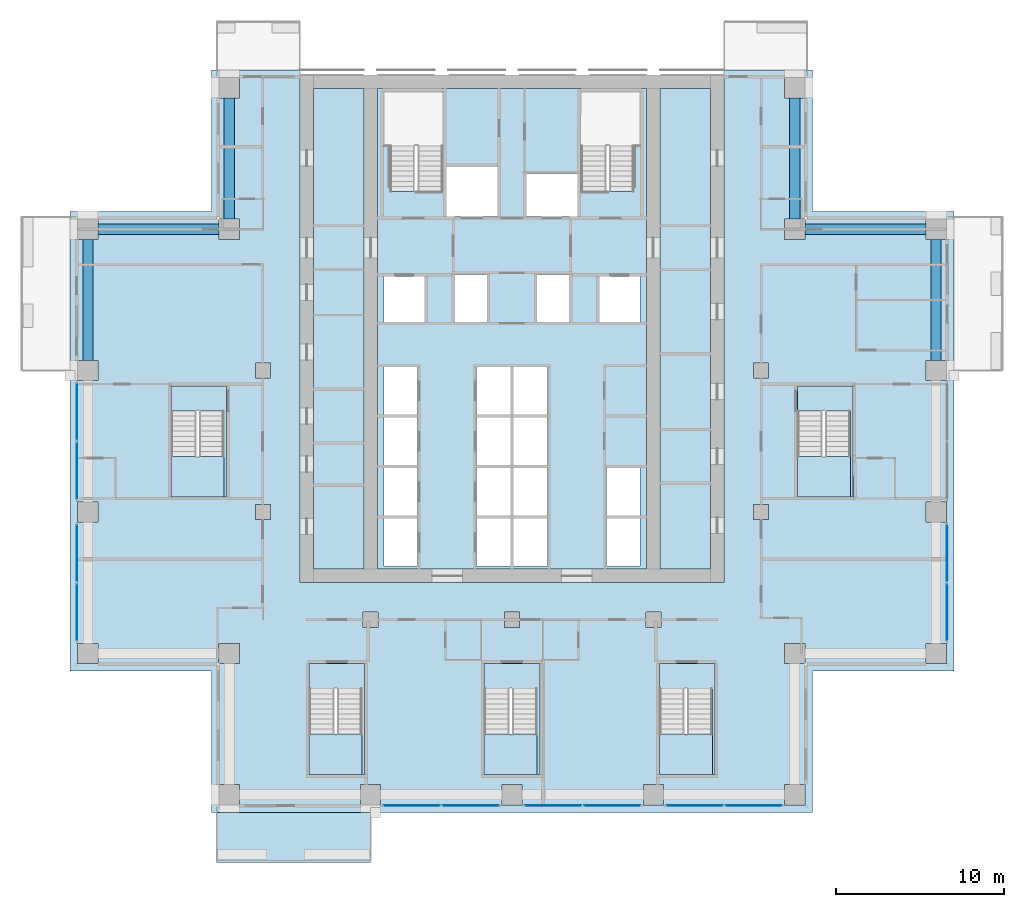
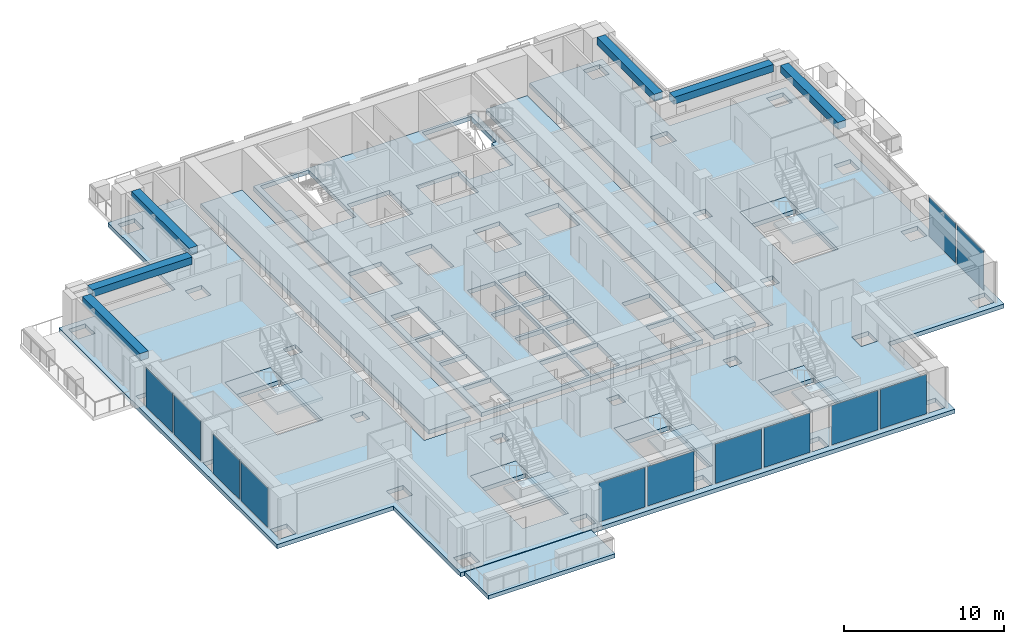
# One storey, part 5 of 17: 15 slabs, 12 plates, 6 beams, 11 elements without a shape of their own.
"""IFC4 building model written with IfcOpenShell, lengths in metres."""

from ifc_helpers import new_model, si_unit, direction, frame, origin, origin_2d, place, context, subcontext, project, spatial, polyline, rectangle, outline, extrude, material, layer, layer_set, material_profile, profile_set, type_object, element, aggregate, save


model = new_model("IFC4")

# Units and contexts
model_context = context("Model", 3, precision=1e-05, world=origin(), true_north=direction((0.0, 1.0)))
body_context = subcontext(model_context, "Body", "Model", "MODEL_VIEW")
ifc_project = project(units=[si_unit("LENGTHUNIT", "METRE"), si_unit("AREAUNIT", "SQUARE_METRE"), si_unit("VOLUMEUNIT", "CUBIC_METRE"), si_unit("PLANEANGLEUNIT", "RADIAN"), si_unit("MASSUNIT", "GRAM", prefix="KILO")], contexts=[model_context])

# Site, building, storey
site_placement = place(None, origin())
site = spatial("IfcSite", under=ifc_project, at=site_placement, CompositionType="ELEMENT")
building_placement = place(site_placement, origin())
building = spatial("IfcBuilding", under=site, at=building_placement, Name="Vermilion Ogive Tower", CompositionType="ELEMENT")
storey_placement = place(building_placement, frame((0.0, 0.0, 83.85009765625)))
storey = spatial("IfcBuildingStorey", under=building, at=storey_placement, Name="L20", CompositionType="ELEMENT", Elevation=83.85009765625)

# Beams
ifc_material_1 = material(Name="Concrete B45", Category="concrete")
ifc_material_profile = material_profile(ifc_material_1, rectangle(XDim=0.60009765625, YDim=0.550048828125, at=origin_2d()), Name="600 x 550")
ifc_profile_set = profile_set([ifc_material_profile], Name="Concrete B45")
beam_type = type_object("IfcBeamType", Name="Edge beam 600 x 550 B45", PredefinedType="BEAM", material=ifc_profile_set)
beam_1_placement = place(storey_placement, frame((25.199951171875, 4.800048828125, 2.85498046875), z_axis=(0.0, 1.0, 0.0), x_axis=(-1.0, 0.0, 0.0)))
element("IfcBeam", 1, at=beam_1_placement, inside=storey, type_object=beam_type, Name="L20-EB-9", PredefinedType="BEAM", context=body_context, shape_type="SweptSolid", body=[
    extrude(rectangle(XDim=0.60009765625, YDim=0.550048828125, at=origin_2d()), origin(), (0.0, 0.0, 1.0), 7.199951171875),
])
beam_2_placement = place(storey_placement, frame((24.60009765625, 12.60009765625, 2.85498046875), z_axis=(-1.0, 0.0, 0.0), x_axis=(0.0, -1.0, 0.0)))
element("IfcBeam", 2, at=beam_2_placement, inside=storey, type_object=beam_type, Name="L20-EB-10", PredefinedType="BEAM", context=body_context, shape_type="SweptSolid", body=[
    extrude(rectangle(XDim=0.60009765625, YDim=0.550048828125, at=origin_2d()), origin(), (0.0, 0.0, 1.0), 7.2001953125),
])
for number, where, z_axis, x_axis, name in (
    (3, (16.800048828125, 13.199951171875, 2.85498046875), (0.0, 1.0, 0.0), (-1.0, 0.0, 0.0), "L20-EB-11"),
    (4, (-16.800048828125, 20.39990234375, 2.85498046875), (0.0, -1.0, 0.0), (1.0, 0.0, 0.0), "L20-EB-12"),
):
    element("IfcBeam", number, at=place(storey_placement, frame(where, z_axis=z_axis, x_axis=x_axis)), inside=storey, type_object=beam_type, Name=name, PredefinedType="BEAM", context=body_context, shape_type="SweptSolid", body=[
        extrude(rectangle(XDim=0.60009765625, YDim=0.550048828125, at=origin_2d()), origin(), (0.0, 0.0, 1.0), 7.199951171875),
    ])
beam_3_placement = place(storey_placement, frame((-17.39990234375, 12.60009765625, 2.85498046875), z_axis=(-1.0, 0.0, 0.0), x_axis=(0.0, -1.0, 0.0)))
element("IfcBeam", 5, at=beam_3_placement, inside=storey, type_object=beam_type, Name="L20-EB-13", PredefinedType="BEAM", context=body_context, shape_type="SweptSolid", body=[
    extrude(rectangle(XDim=0.60009765625, YDim=0.550048828125, at=origin_2d()), origin(), (0.0, 0.0, 1.0), 7.2001953125),
])
beam_4_placement = place(storey_placement, frame((-25.199951171875, 12.0, 2.85498046875), z_axis=(0.0, -1.0, 0.0), x_axis=(1.0, 0.0, 0.0)))
element("IfcBeam", 6, at=beam_4_placement, inside=storey, type_object=beam_type, Name="L20-EB-14", PredefinedType="BEAM", context=body_context, shape_type="SweptSolid", body=[
    extrude(rectangle(XDim=0.60009765625, YDim=0.550048828125, at=origin_2d()), origin(), (0.0, 0.0, 1.0), 7.199951171875),
])

# Slab
ifc_material_2 = material(Name="Concrete B40", Category="concrete")
ifc_layer_1 = layer(ifc_material_2, 0.300048828125)
ifc_layer_set_1 = layer_set([ifc_layer_1], Name="Balcony slab")
slab_type_1 = type_object("IfcSlabType", Name="Balcony slab", PredefinedType="FLOOR", material=ifc_layer_set_1)
slab_1_placement = place(storey_placement, frame((0.0, 0.0, -0.340087890625)))
element("IfcSlab", 7, at=slab_1_placement, inside=storey, type_object=slab_type_1, Name="Balcony slab S01", PredefinedType="FLOOR", context=body_context, shape_type="SweptSolid", body=[
    extrude(outline(polyline([(-17.550048828125, -25.030029296875), (-8.39990234375, -25.030029296875), (-8.39990234375, -22.050048828125), (-17.550048828125, -22.050048828125), (-17.550048828125, -25.030029296875)])), origin(), (0.0, 0.0, 1.0), 0.300048828125),
])

# Curtain wall, plates
ifc_material_3 = material(Name="Low-iron laminated glazing in aluminium frame", Category="aluminium")
curtain_wall_type = type_object("IfcCurtainWallType", Name="Curtain wall CW7", PredefinedType="NOTDEFINED", material=ifc_material_3)
curtain_wall_1_placement = place(storey_placement, origin())
curtain_wall_1 = element("IfcCurtainWall", 8, at=curtain_wall_1_placement, inside=storey, type_object=curtain_wall_type, Name="Glazed skin S2", PredefinedType="NOTDEFINED")
ifc_material_4 = material(Name="Low-iron laminated glazing in aluminium frame", Category="aluminium")
ifc_layer_2 = layer(ifc_material_4, 0.031982421875)
ifc_layer_set_2 = layer_set([ifc_layer_2], Name="CW7 glazing panel 32")
plate_type = type_object("IfcPlateType", Name="CW7 glazing panel 32", PredefinedType="CURTAIN_PANEL", material=ifc_layer_set_2)
plate_1_placement = place(storey_placement, frame((-5.955078125, -21.64990234375, 0.06005859375), z_axis=(0.0, 0.0, 1.0), x_axis=(1.0, 0.0, 0.0)))
plate_1 = element("IfcPlate", 9, at=plate_1_placement, type_object=plate_type, Name="CW7-S2 panel 1.1", PredefinedType="CURTAIN_PANEL", context=body_context, shape_type="SweptSolid", body=[
    extrude(rectangle(XDim=3.330078125, YDim=0.031982421875, at=origin_2d()), origin(), (0.0, 0.0, 1.0), 3.010009765625),
])
plate_2_placement = place(storey_placement, frame((-2.445068359375, -21.64990234375, 0.06005859375), z_axis=(0.0, 0.0, 1.0), x_axis=(1.0, 0.0, 0.0)))
plate_2 = element("IfcPlate", 10, at=plate_2_placement, type_object=plate_type, Name="CW7-S2 panel 2.1", PredefinedType="CURTAIN_PANEL", context=body_context, shape_type="SweptSolid", body=[
    extrude(rectangle(XDim=3.330078125, YDim=0.031982421875, at=origin_2d()), origin(), (0.0, 0.0, 1.0), 3.010009765625),
])
aggregate(curtain_wall_1, [plate_1, plate_2])

curtain_wall_2_placement = place(storey_placement, origin())
curtain_wall_2 = element("IfcCurtainWall", 11, at=curtain_wall_2_placement, inside=storey, type_object=curtain_wall_type, Name="Glazed skin S3", PredefinedType="NOTDEFINED")
plate_3_placement = place(storey_placement, frame((2.445068359375, -21.64990234375, 0.06005859375), z_axis=(0.0, 0.0, 1.0), x_axis=(1.0, 0.0, 0.0)))
plate_3 = element("IfcPlate", 12, at=plate_3_placement, type_object=plate_type, Name="CW7-S3 panel 1.1", PredefinedType="CURTAIN_PANEL", context=body_context, shape_type="SweptSolid", body=[
    extrude(rectangle(XDim=3.330078125, YDim=0.031982421875, at=origin_2d()), origin(), (0.0, 0.0, 1.0), 3.010009765625),
])
plate_4_placement = place(storey_placement, frame((5.955078125, -21.64990234375, 0.06005859375), z_axis=(0.0, 0.0, 1.0), x_axis=(1.0, 0.0, 0.0)))
plate_4 = element("IfcPlate", 13, at=plate_4_placement, type_object=plate_type, Name="CW7-S3 panel 2.1", PredefinedType="CURTAIN_PANEL", context=body_context, shape_type="SweptSolid", body=[
    extrude(rectangle(XDim=3.330078125, YDim=0.031982421875, at=origin_2d()), origin(), (0.0, 0.0, 1.0), 3.010009765625),
])
aggregate(curtain_wall_2, [plate_3, plate_4])

curtain_wall_3_placement = place(storey_placement, origin())
curtain_wall_3 = element("IfcCurtainWall", 14, at=curtain_wall_3_placement, inside=storey, type_object=curtain_wall_type, Name="Glazed skin S4", PredefinedType="NOTDEFINED")
plate_5_placement = place(storey_placement, frame((10.844970703125, -21.64990234375, 0.06005859375), z_axis=(0.0, 0.0, 1.0), x_axis=(1.0, 0.0, 0.0)))
plate_5 = element("IfcPlate", 15, at=plate_5_placement, type_object=plate_type, Name="CW7-S4 panel 1.1", PredefinedType="CURTAIN_PANEL", context=body_context, shape_type="SweptSolid", body=[
    extrude(rectangle(XDim=3.330078125, YDim=0.031982421875, at=origin_2d()), origin(), (0.0, 0.0, 1.0), 3.010009765625),
])
plate_6_placement = place(storey_placement, frame((14.35498046875, -21.64990234375, 0.06005859375), z_axis=(0.0, 0.0, 1.0), x_axis=(1.0, 0.0, 0.0)))
plate_6 = element("IfcPlate", 16, at=plate_6_placement, type_object=plate_type, Name="CW7-S4 panel 2.1", PredefinedType="CURTAIN_PANEL", context=body_context, shape_type="SweptSolid", body=[
    extrude(rectangle(XDim=3.330078125, YDim=0.031982421875, at=origin_2d()), origin(), (0.0, 0.0, 1.0), 3.010009765625),
])
aggregate(curtain_wall_3, [plate_5, plate_6])

curtain_wall_4_placement = place(storey_placement, origin())
curtain_wall_4 = element("IfcCurtainWall", 17, at=curtain_wall_4_placement, inside=storey, type_object=curtain_wall_type, Name="Glazed skin E1", PredefinedType="NOTDEFINED")
plate_7_placement = place(storey_placement, frame((25.85009765625, -10.155029296875, 0.06005859375), z_axis=(0.0, 0.0, 1.0), x_axis=(0.0, 1.0, 0.0)))
plate_7 = element("IfcPlate", 18, at=plate_7_placement, type_object=plate_type, Name="CW7-E1 panel 1.1", PredefinedType="CURTAIN_PANEL", context=body_context, shape_type="SweptSolid", body=[
    extrude(rectangle(XDim=3.330078125, YDim=0.031982421875, at=origin_2d()), origin(), (0.0, 0.0, 1.0), 3.010009765625),
])
plate_8_placement = place(storey_placement, frame((25.85009765625, -6.64501953125, 0.06005859375), z_axis=(0.0, 0.0, 1.0), x_axis=(0.0, 1.0, 0.0)))
plate_8 = element("IfcPlate", 19, at=plate_8_placement, type_object=plate_type, Name="CW7-E1 panel 2.1", PredefinedType="CURTAIN_PANEL", context=body_context, shape_type="SweptSolid", body=[
    extrude(rectangle(XDim=3.330078125, YDim=0.031982421875, at=origin_2d()), origin(), (0.0, 0.0, 1.0), 3.010009765625),
])
aggregate(curtain_wall_4, [plate_7, plate_8])

curtain_wall_5_placement = place(storey_placement, origin())
curtain_wall_5 = element("IfcCurtainWall", 20, at=curtain_wall_5_placement, inside=storey, type_object=curtain_wall_type, Name="Glazed skin W2", PredefinedType="NOTDEFINED")
plate_9_placement = place(storey_placement, frame((-25.85009765625, 1.7548828125, 0.06005859375), z_axis=(0.0, 0.0, 1.0), x_axis=(0.0, -1.0, 0.0)))
plate_9 = element("IfcPlate", 21, at=plate_9_placement, type_object=plate_type, Name="CW7-W2 panel 1.1", PredefinedType="CURTAIN_PANEL", context=body_context, shape_type="SweptSolid", body=[
    extrude(rectangle(XDim=3.330078125, YDim=0.031982421875, at=origin_2d()), origin(), (0.0, 0.0, 1.0), 3.010009765625),
])
plate_10_placement = place(storey_placement, frame((-25.85009765625, -1.7548828125, 0.06005859375), z_axis=(0.0, 0.0, 1.0), x_axis=(0.0, -1.0, 0.0)))
plate_10 = element("IfcPlate", 22, at=plate_10_placement, type_object=plate_type, Name="CW7-W2 panel 2.1", PredefinedType="CURTAIN_PANEL", context=body_context, shape_type="SweptSolid", body=[
    extrude(rectangle(XDim=3.330078125, YDim=0.031982421875, at=origin_2d()), origin(), (0.0, 0.0, 1.0), 3.010009765625),
])
aggregate(curtain_wall_5, [plate_9, plate_10])

curtain_wall_6_placement = place(storey_placement, origin())
curtain_wall_6 = element("IfcCurtainWall", 23, at=curtain_wall_6_placement, inside=storey, type_object=curtain_wall_type, Name="Glazed skin W3", PredefinedType="NOTDEFINED")
plate_11_placement = place(storey_placement, frame((-25.85009765625, -6.64501953125, 0.06005859375), z_axis=(0.0, 0.0, 1.0), x_axis=(0.0, -1.0, 0.0)))
plate_11 = element("IfcPlate", 24, at=plate_11_placement, type_object=plate_type, Name="CW7-W3 panel 1.1", PredefinedType="CURTAIN_PANEL", context=body_context, shape_type="SweptSolid", body=[
    extrude(rectangle(XDim=3.330078125, YDim=0.031982421875, at=origin_2d()), origin(), (0.0, 0.0, 1.0), 3.010009765625),
])
plate_12_placement = place(storey_placement, frame((-25.85009765625, -10.155029296875, 0.06005859375), z_axis=(0.0, 0.0, 1.0), x_axis=(0.0, -1.0, 0.0)))
plate_12 = element("IfcPlate", 25, at=plate_12_placement, type_object=plate_type, Name="CW7-W3 panel 2.1", PredefinedType="CURTAIN_PANEL", context=body_context, shape_type="SweptSolid", body=[
    extrude(rectangle(XDim=3.330078125, YDim=0.031982421875, at=origin_2d()), origin(), (0.0, 0.0, 1.0), 3.010009765625),
])
aggregate(curtain_wall_6, [plate_11, plate_12])

# Slabs
ifc_material_5 = material(Name="Concrete B40", Category="concrete")
ifc_layer_3 = layer(ifc_material_5, 0.320068359375)
ifc_layer_set_3 = layer_set([ifc_layer_3], Name="Core floor slab 320 B40")
slab_type_2 = type_object("IfcSlabType", Name="Core floor slab 320 B40", PredefinedType="FLOOR", material=ifc_layer_set_3)
slab_2_placement = place(storey_placement, frame((0.0, 0.0, -0.320068359375)))
element("IfcSlab", 26, at=slab_2_placement, inside=storey, type_object=slab_type_2, Name="L20-CK-FS1", PredefinedType="FLOOR", context=body_context, shape_type="SweptSolid", body=[
    extrude(outline(polyline([(-8.803955078125, 20.946044921875), (-8.803955078125, -7.595947265625), (-11.7958984375, -7.595947265625), (-11.7958984375, 20.946044921875), (-8.803955078125, 20.946044921875)])), origin(), (0.0, 0.0, 1.0), 0.320068359375),
])
slab_3_placement = place(storey_placement, frame((0.0, 0.0, -0.320068359375)))
element("IfcSlab", 27, at=slab_3_placement, inside=storey, type_object=slab_type_2, Name="L20-CK-FS2", PredefinedType="FLOOR", context=body_context, shape_type="SweptSolid", body=[
    extrude(outline(polyline([(-7.99609375, 20.946044921875), (-7.99609375, -7.595947265625), (7.99609375, -7.595947265625), (7.99609375, 20.946044921875), (-7.99609375, 20.946044921875)]), holes=[polyline([(-7.60009765625, -4.60009765625), (-5.60009765625, -4.60009765625), (-5.60009765625, -7.39990234375), (-7.60009765625, -7.39990234375), (-7.60009765625, -4.60009765625)]), polyline([(-2.10009765625, -4.60009765625), (-0.10009765625, -4.60009765625), (-0.10009765625, -7.39990234375), (-2.10009765625, -7.39990234375), (-2.10009765625, -4.60009765625)]), polyline([(-7.60009765625, -4.39990234375), (-7.60009765625, -1.60009765625), (-5.60009765625, -1.60009765625), (-5.60009765625, -4.39990234375), (-7.60009765625, -4.39990234375)]), polyline([(-2.10009765625, -1.60009765625), (-0.10009765625, -1.60009765625), (-0.10009765625, -4.39990234375), (-2.10009765625, -4.39990234375), (-2.10009765625, -1.60009765625)]), polyline([(-7.60009765625, -1.39990234375), (-7.60009765625, 1.39990234375), (-5.60009765625, 1.39990234375), (-5.60009765625, -1.39990234375), (-7.60009765625, -1.39990234375)]), polyline([(-2.10009765625, 1.39990234375), (-0.10009765625, 1.39990234375), (-0.10009765625, -1.39990234375), (-2.10009765625, -1.39990234375), (-2.10009765625, 1.39990234375)]), polyline([(-7.60009765625, 4.39990234375), (-5.60009765625, 4.39990234375), (-5.60009765625, 1.60009765625), (-7.60009765625, 1.60009765625), (-7.60009765625, 4.39990234375)]), polyline([(-2.10009765625, 4.39990234375), (-0.10009765625, 4.39990234375), (-0.10009765625, 1.60009765625), (-2.10009765625, 1.60009765625), (-2.10009765625, 4.39990234375)]), polyline([(-7.60009765625, 9.800048828125), (-5.199951171875, 9.800048828125), (-5.199951171875, 7.10009765625), (-7.60009765625, 7.10009765625), (-7.60009765625, 9.800048828125)]), polyline([(-3.39990234375, 9.89990234375), (-1.5, 9.89990234375), (-1.5, 7.10009765625), (-3.39990234375, 7.10009765625), (-3.39990234375, 9.89990234375)]), polyline([(-3.89990234375, 16.300048828125), (-0.85009765625, 16.300048828125), (-0.85009765625, 13.35009765625), (-3.89990234375, 13.35009765625), (-3.89990234375, 16.300048828125)]), polyline([(-7.60009765625, 17.550048828125), (-7.60009765625, 20.75), (-4.10009765625, 20.75), (-4.10009765625, 14.85205078125), (-5.60009765625, 14.85205078125), (-5.60009765625, 14.85009765625), (-5.75, 14.85009765625), (-5.75, 14.85205078125), (-7.25, 14.85205078125), (-7.25, 17.550048828125), (-7.60009765625, 17.550048828125)]), polyline([(0.10009765625, -4.60009765625), (2.10009765625, -4.60009765625), (2.10009765625, -7.39990234375), (0.10009765625, -7.39990234375), (0.10009765625, -4.60009765625)]), polyline([(5.60009765625, -4.60009765625), (7.60009765625, -4.60009765625), (7.60009765625, -7.39990234375), (5.60009765625, -7.39990234375), (5.60009765625, -4.60009765625)]), polyline([(0.10009765625, -1.60009765625), (2.10009765625, -1.60009765625), (2.10009765625, -4.39990234375), (0.10009765625, -4.39990234375), (0.10009765625, -1.60009765625)]), polyline([(5.60009765625, -1.60009765625), (7.60009765625, -1.60009765625), (7.60009765625, -4.39990234375), (5.60009765625, -4.39990234375), (5.60009765625, -1.60009765625)]), polyline([(0.10009765625, 1.39990234375), (2.10009765625, 1.39990234375), (2.10009765625, -1.39990234375), (0.10009765625, -1.39990234375), (0.10009765625, 1.39990234375)]), polyline([(0.10009765625, 4.39990234375), (2.10009765625, 4.39990234375), (2.10009765625, 1.60009765625), (0.10009765625, 1.60009765625), (0.10009765625, 4.39990234375)]), polyline([(5.199951171875, 9.800048828125), (7.60009765625, 9.800048828125), (7.60009765625, 7.10009765625), (5.199951171875, 7.10009765625), (5.199951171875, 9.800048828125)]), polyline([(1.5, 9.89990234375), (3.39990234375, 9.89990234375), (3.39990234375, 7.10009765625), (1.5, 7.10009765625), (1.5, 9.89990234375)]), polyline([(0.85009765625, 15.89990234375), (3.89990234375, 15.89990234375), (3.89990234375, 13.35009765625), (0.85009765625, 13.35009765625), (0.85009765625, 15.89990234375)]), polyline([(5.75, 14.85009765625), (5.60009765625, 14.85009765625), (5.60009765625, 14.85205078125), (4.10009765625, 14.85205078125), (4.10009765625, 17.550048828125), (4.074951171875, 17.550048828125), (4.074951171875, 20.75), (7.60009765625, 20.75), (7.60009765625, 17.550048828125), (7.25, 17.550048828125), (7.25, 14.85205078125), (5.75, 14.85205078125), (5.75, 14.85009765625)])]), origin(), (0.0, 0.0, 1.0), 0.320068359375),
])
slab_4_placement = place(storey_placement, frame((0.0, 0.0, -0.320068359375)))
element("IfcSlab", 28, at=slab_4_placement, inside=storey, type_object=slab_type_2, Name="L20-CK-FS3", PredefinedType="FLOOR", context=body_context, shape_type="SweptSolid", body=[
    extrude(outline(polyline([(11.7958984375, -7.595947265625), (8.803955078125, -7.595947265625), (8.803955078125, 20.946044921875), (11.7958984375, 20.946044921875), (11.7958984375, -7.595947265625)])), origin(), (0.0, 0.0, 1.0), 0.320068359375),
])
slab_5_placement = place(storey_placement, frame((0.0, 0.0, -0.320068359375)))
element("IfcSlab", 29, at=slab_5_placement, inside=storey, type_object=slab_type_2, Name="L20-SF-ST3-1", PredefinedType="FLOOR", context=body_context, shape_type="SweptSolid", body=[
    extrude(outline(polyline([(-12.050048828125, -13.199951171875), (-12.050048828125, -14.701904296875), (-10.550048828125, -14.701904296875), (-10.550048828125, -14.699951171875), (-10.39990234375, -14.699951171875), (-10.39990234375, -14.701904296875), (-8.89990234375, -14.701904296875), (-8.89990234375, -19.800048828125), (-8.75, -19.800048828125), (-8.75, -13.199951171875), (-12.050048828125, -13.199951171875)])), origin(), (0.0, 0.0, 1.0), 0.320068359375),
])
slab_6_placement = place(storey_placement, frame((0.0, 0.0, -0.320068359375)))
element("IfcSlab", 30, at=slab_6_placement, inside=storey, type_object=slab_type_2, Name="L20-SF-ST4-1", PredefinedType="FLOOR", context=body_context, shape_type="SweptSolid", body=[
    extrude(outline(polyline([(-1.64990234375, -13.199951171875), (-1.64990234375, -14.701904296875), (-0.14990234375, -14.701904296875), (-0.14990234375, -14.699951171875), (0.0, -14.699951171875), (0.0, -14.701904296875), (1.5, -14.701904296875), (1.5, -19.800048828125), (1.64990234375, -19.800048828125), (1.64990234375, -13.199951171875), (-1.64990234375, -13.199951171875)])), origin(), (0.0, 0.0, 1.0), 0.320068359375),
])
slab_7_placement = place(storey_placement, frame((0.0, 0.0, -0.320068359375)))
element("IfcSlab", 31, at=slab_7_placement, inside=storey, type_object=slab_type_2, Name="L20-SF-ST5-1", PredefinedType="FLOOR", context=body_context, shape_type="SweptSolid", body=[
    extrude(outline(polyline([(8.75, -13.199951171875), (8.75, -14.701904296875), (10.25, -14.701904296875), (10.25, -14.699951171875), (10.39990234375, -14.699951171875), (10.39990234375, -14.701904296875), (11.89990234375, -14.701904296875), (11.89990234375, -19.800048828125), (12.050048828125, -19.800048828125), (12.050048828125, -13.199951171875), (8.75, -13.199951171875)])), origin(), (0.0, 0.0, 1.0), 0.320068359375),
])
slab_8_placement = place(storey_placement, frame((0.0, 0.0, -0.320068359375)))
element("IfcSlab", 32, at=slab_8_placement, inside=storey, type_object=slab_type_2, Name="L20-SF-ST8-1", PredefinedType="FLOOR", context=body_context, shape_type="SweptSolid", body=[
    extrude(outline(polyline([(16.949951171875, 3.300048828125), (16.949951171875, 1.798095703125), (18.449951171875, 1.798095703125), (18.449951171875, 1.800048828125), (18.60009765625, 1.800048828125), (18.60009765625, 1.798095703125), (20.10009765625, 1.798095703125), (20.10009765625, -3.300048828125), (20.25, -3.300048828125), (20.25, 3.300048828125), (16.949951171875, 3.300048828125)])), origin(), (0.0, 0.0, 1.0), 0.320068359375),
])
slab_9_placement = place(storey_placement, frame((0.0, 0.0, -0.320068359375)))
element("IfcSlab", 33, at=slab_9_placement, inside=storey, type_object=slab_type_2, Name="L20-SF-ST9-1", PredefinedType="FLOOR", context=body_context, shape_type="SweptSolid", body=[
    extrude(outline(polyline([(-20.25, 3.300048828125), (-20.25, 1.798095703125), (-18.75, 1.798095703125), (-18.75, 1.800048828125), (-18.60009765625, 1.800048828125), (-18.60009765625, 1.798095703125), (-17.10009765625, 1.798095703125), (-17.10009765625, -3.300048828125), (-16.949951171875, -3.300048828125), (-16.949951171875, 3.300048828125), (-20.25, 3.300048828125)])), origin(), (0.0, 0.0, 1.0), 0.320068359375),
])
ifc_material_6 = material(Name="Concrete B45", Category="concrete")
ifc_layer_4 = layer(ifc_material_6, 0.320068359375)
ifc_layer_set_4 = layer_set([ifc_layer_4], Name="Post-tensioned flat plate 320 B45")
slab_type_3 = type_object("IfcSlabType", Name="Post-tensioned flat plate 320 B45", PredefinedType="FLOOR", material=ifc_layer_set_4)
slab_10_placement = place(storey_placement, frame((0.0, 0.0, -0.320068359375)))
element("IfcSlab", 34, at=slab_10_placement, inside=storey, type_object=slab_type_3, Name="L20-SL-1", PredefinedType="FLOOR", context=body_context, shape_type="SweptSolid", body=[
    extrude(outline(polyline([(-26.25, -13.64990234375), (-17.85009765625, -13.64990234375), (-17.85009765625, -22.050048828125), (17.85009765625, -22.050048828125), (17.85009765625, -13.64990234375), (26.25, -13.64990234375), (26.25, 13.64990234375), (17.85009765625, 13.64990234375), (17.85009765625, 22.050048828125), (12.60009765625, 22.050048828125), (12.60009765625, -8.39990234375), (-12.60009765625, -8.39990234375), (-12.60009765625, 22.050048828125), (-17.85009765625, 22.050048828125), (-17.85009765625, 13.64990234375), (-26.25, 13.64990234375), (-26.25, -13.64990234375)]), holes=[polyline([(25.800048828125, -3.60009765625), (25.800048828125, -4.800048828125), (24.60009765625, -4.800048828125), (24.60009765625, -3.60009765625), (25.800048828125, -3.60009765625)]), polyline([(25.800048828125, -12.0), (25.800048828125, -13.199951171875), (24.60009765625, -13.199951171875), (24.60009765625, -12.0), (25.800048828125, -12.0)]), polyline([(25.800048828125, 12.0), (24.60009765625, 12.0), (24.60009765625, 13.199951171875), (25.800048828125, 13.199951171875), (25.800048828125, 12.0)]), polyline([(25.800048828125, 3.60009765625), (24.60009765625, 3.60009765625), (24.60009765625, 4.800048828125), (25.800048828125, 4.800048828125), (25.800048828125, 3.60009765625)]), polyline([(20.25, -3.2998046875), (20.25, -3.300048828125), (16.949951171875, -3.300048828125), (16.949951171875, 3.300048828125), (20.25, 3.300048828125), (20.25, -0.89990234375), (20.275146484375, -0.89990234375), (20.275146484375, -3.2998046875), (20.25, -3.2998046875)]), polyline([(17.39990234375, -12.0), (17.39990234375, -13.199951171875), (16.199951171875, -13.199951171875), (16.199951171875, -12.0), (17.39990234375, -12.0)]), polyline([(17.39990234375, 20.39990234375), (16.199951171875, 20.39990234375), (16.199951171875, 21.60009765625), (17.39990234375, 21.60009765625), (17.39990234375, 20.39990234375)]), polyline([(17.39990234375, -20.39990234375), (17.39990234375, -21.60009765625), (16.199951171875, -21.60009765625), (16.199951171875, -20.39990234375), (17.39990234375, -20.39990234375)]), polyline([(17.39990234375, 13.199951171875), (17.39990234375, 12.0), (16.199951171875, 12.0), (16.199951171875, 13.199951171875), (17.39990234375, 13.199951171875)]), polyline([(15.25, 4.64990234375), (15.25, 3.75), (14.35009765625, 3.75), (14.35009765625, 4.64990234375), (15.25, 4.64990234375)]), polyline([(15.25, -4.64990234375), (14.35009765625, -4.64990234375), (14.35009765625, -3.75), (15.25, -3.75), (15.25, -4.64990234375)]), polyline([(12.050048828125, -13.199951171875), (12.050048828125, -19.800048828125), (8.75, -19.800048828125), (8.75, -13.199951171875), (12.050048828125, -13.199951171875)]), polyline([(9.0, -20.39990234375), (9.0, -21.60009765625), (7.800048828125, -21.60009765625), (7.800048828125, -20.39990234375), (9.0, -20.39990234375)]), polyline([(8.85009765625, -11.050048828125), (7.949951171875, -11.050048828125), (7.949951171875, -10.14990234375), (8.85009765625, -10.14990234375), (8.85009765625, -11.050048828125)]), polyline([(1.64990234375, -13.199951171875), (1.64990234375, -19.800048828125), (-1.64990234375, -19.800048828125), (-1.64990234375, -13.199951171875), (1.64990234375, -13.199951171875)]), polyline([(0.60009765625, -20.39990234375), (0.60009765625, -21.60009765625), (-0.60009765625, -21.60009765625), (-0.60009765625, -20.39990234375), (0.60009765625, -20.39990234375)]), polyline([(0.449951171875, -10.14990234375), (0.449951171875, -11.050048828125), (-0.449951171875, -11.050048828125), (-0.449951171875, -10.14990234375), (0.449951171875, -10.14990234375)]), polyline([(-7.800048828125, -20.39990234375), (-7.800048828125, -21.60009765625), (-9.0, -21.60009765625), (-9.0, -20.39990234375), (-7.800048828125, -20.39990234375)]), polyline([(-7.949951171875, -10.14990234375), (-7.949951171875, -11.050048828125), (-8.85009765625, -11.050048828125), (-8.85009765625, -10.14990234375), (-7.949951171875, -10.14990234375)]), polyline([(-8.75, -13.199951171875), (-8.75, -19.800048828125), (-12.050048828125, -19.800048828125), (-12.050048828125, -13.199951171875), (-8.75, -13.199951171875)]), polyline([(-14.35009765625, 4.64990234375), (-14.35009765625, 3.75), (-15.25, 3.75), (-15.25, 4.64990234375), (-14.35009765625, 4.64990234375)]), polyline([(-14.35009765625, -4.64990234375), (-15.25, -4.64990234375), (-15.25, -3.75), (-14.35009765625, -3.75), (-14.35009765625, -4.64990234375)]), polyline([(-16.199951171875, 13.199951171875), (-16.199951171875, 12.0), (-17.39990234375, 12.0), (-17.39990234375, 13.199951171875), (-16.199951171875, 13.199951171875)]), polyline([(-16.199951171875, -12.0), (-16.199951171875, -13.199951171875), (-17.39990234375, -13.199951171875), (-17.39990234375, -12.0), (-16.199951171875, -12.0)]), polyline([(-16.199951171875, -20.39990234375), (-16.199951171875, -21.60009765625), (-17.39990234375, -21.60009765625), (-17.39990234375, -20.39990234375), (-16.199951171875, -20.39990234375)]), polyline([(-16.199951171875, 20.39990234375), (-17.39990234375, 20.39990234375), (-17.39990234375, 21.60009765625), (-16.199951171875, 21.60009765625), (-16.199951171875, 20.39990234375)]), polyline([(-16.949951171875, 3.300048828125), (-16.949951171875, -3.300048828125), (-20.25, -3.300048828125), (-20.25, 3.300048828125), (-16.949951171875, 3.300048828125)]), polyline([(-24.60009765625, 3.60009765625), (-25.800048828125, 3.60009765625), (-25.800048828125, 4.800048828125), (-24.60009765625, 4.800048828125), (-24.60009765625, 3.60009765625)]), polyline([(-24.60009765625, 13.199951171875), (-24.60009765625, 12.0), (-25.800048828125, 12.0), (-25.800048828125, 13.199951171875), (-24.60009765625, 13.199951171875)]), polyline([(-24.60009765625, -3.60009765625), (-24.60009765625, -4.800048828125), (-25.800048828125, -4.800048828125), (-25.800048828125, -3.60009765625), (-24.60009765625, -3.60009765625)]), polyline([(-24.60009765625, -12.0), (-24.60009765625, -13.199951171875), (-25.800048828125, -13.199951171875), (-25.800048828125, -12.0), (-24.60009765625, -12.0)])]), origin(), (0.0, 0.0, 1.0), 0.320068359375),
])

# Stair, slab
ifc_material_7 = material(Name="Concrete B40", Category="concrete")
stair_type = type_object("IfcStairType", Name="Exit stair 1500", PredefinedType="HALF_TURN_STAIR", material=ifc_material_7)
stair_1_placement = place(storey_placement, origin())
stair_1 = element("IfcStair", 35, at=stair_1_placement, inside=storey, type_object=stair_type, Name="L20 Exit Stair ST3", PredefinedType="HALF_TURN_STAIR")
ifc_material_8 = material(Name="Concrete B40", Category="concrete")
ifc_layer_5 = layer(ifc_material_8, 0.199951171875)
ifc_layer_set_5 = layer_set([ifc_layer_5], Name="Stair landing 200")
slab_type_4 = type_object("IfcSlabType", Name="Stair landing 200", PredefinedType="LANDING", material=ifc_layer_set_5)
slab_11_placement = place(storey_placement, frame((0.0, 0.0, 1.52490234375)))
slab_11 = element("IfcSlab", 36, at=slab_11_placement, type_object=slab_type_4, Name="ST3 landing 1", PredefinedType="LANDING", context=body_context, shape_type="SweptSolid", body=[
    extrude(outline(polyline([(-8.75, -17.39990234375), (-8.89990234375, -17.39990234375), (-8.89990234375, -17.39794921875), (-10.39990234375, -17.39794921875), (-10.39990234375, -17.39990234375), (-10.550048828125, -17.39990234375), (-10.550048828125, -17.39794921875), (-12.050048828125, -17.39794921875), (-12.050048828125, -19.800048828125), (-8.75, -19.800048828125), (-8.75, -17.39990234375)])), origin(), (0.0, 0.0, 1.0), 0.199951171875),
])
aggregate(stair_1, [slab_11])

stair_2_placement = place(storey_placement, origin())
stair_2 = element("IfcStair", 37, at=stair_2_placement, inside=storey, type_object=stair_type, Name="L20 Exit Stair ST4", PredefinedType="HALF_TURN_STAIR")
slab_12_placement = place(storey_placement, frame((0.0, 0.0, 1.52490234375)))
slab_12 = element("IfcSlab", 38, at=slab_12_placement, type_object=slab_type_4, Name="ST4 landing 1", PredefinedType="LANDING", context=body_context, shape_type="SweptSolid", body=[
    extrude(outline(polyline([(1.64990234375, -17.39990234375), (1.5, -17.39990234375), (1.5, -17.39794921875), (0.0, -17.39794921875), (0.0, -17.39990234375), (-0.14990234375, -17.39990234375), (-0.14990234375, -17.39794921875), (-1.64990234375, -17.39794921875), (-1.64990234375, -19.7998046875), (1.64990234375, -19.7998046875), (1.64990234375, -17.39990234375)])), origin(), (0.0, 0.0, 1.0), 0.199951171875),
])
aggregate(stair_2, [slab_12])

stair_3_placement = place(storey_placement, origin())
stair_3 = element("IfcStair", 39, at=stair_3_placement, inside=storey, type_object=stair_type, Name="L20 Exit Stair ST5", PredefinedType="HALF_TURN_STAIR")
slab_13_placement = place(storey_placement, frame((0.0, 0.0, 1.52490234375)))
slab_13 = element("IfcSlab", 40, at=slab_13_placement, type_object=slab_type_4, Name="ST5 landing 1", PredefinedType="LANDING", context=body_context, shape_type="SweptSolid", body=[
    extrude(outline(polyline([(12.050048828125, -17.39990234375), (11.89990234375, -17.39990234375), (11.89990234375, -17.39794921875), (10.39990234375, -17.39794921875), (10.39990234375, -17.39990234375), (10.25, -17.39990234375), (10.25, -17.39794921875), (8.75, -17.39794921875), (8.75, -19.800048828125), (12.050048828125, -19.800048828125), (12.050048828125, -17.39990234375)])), origin(), (0.0, 0.0, 1.0), 0.199951171875),
])
aggregate(stair_3, [slab_13])

stair_4_placement = place(storey_placement, origin())
stair_4 = element("IfcStair", 41, at=stair_4_placement, inside=storey, type_object=stair_type, Name="L20 Exit Stair ST8", PredefinedType="HALF_TURN_STAIR")
slab_14_placement = place(storey_placement, frame((0.0, 0.0, 1.52490234375)))
slab_14 = element("IfcSlab", 42, at=slab_14_placement, type_object=slab_type_4, Name="ST8 landing 1", PredefinedType="LANDING", context=body_context, shape_type="SweptSolid", body=[
    extrude(outline(polyline([(20.275146484375, -0.89990234375), (20.10009765625, -0.89990234375), (20.10009765625, -0.89794921875), (18.60009765625, -0.89794921875), (18.60009765625, -0.89990234375), (18.449951171875, -0.89990234375), (18.449951171875, -0.89794921875), (16.949951171875, -0.89794921875), (16.949951171875, -0.902099609375), (16.9501953125, -0.902099609375), (16.9501953125, -3.2998046875), (20.275146484375, -3.2998046875), (20.275146484375, -0.89990234375)])), origin(), (0.0, 0.0, 1.0), 0.199951171875),
])
aggregate(stair_4, [slab_14])

stair_5_placement = place(storey_placement, origin())
stair_5 = element("IfcStair", 43, at=stair_5_placement, inside=storey, type_object=stair_type, Name="L20 Exit Stair ST9", PredefinedType="HALF_TURN_STAIR")
slab_15_placement = place(storey_placement, frame((0.0, 0.0, 1.52490234375)))
slab_15 = element("IfcSlab", 44, at=slab_15_placement, type_object=slab_type_4, Name="ST9 landing 1", PredefinedType="LANDING", context=body_context, shape_type="SweptSolid", body=[
    extrude(outline(polyline([(-16.9501953125, -0.89990234375), (-17.10009765625, -0.89990234375), (-17.10009765625, -0.89794921875), (-18.60009765625, -0.89794921875), (-18.60009765625, -0.89990234375), (-18.75, -0.89990234375), (-18.75, -0.89794921875), (-20.25, -0.89794921875), (-20.25, -0.89990234375), (-20.25, -0.89990234375), (-20.25, -3.2998046875), (-16.9501953125, -3.2998046875), (-16.9501953125, -0.89990234375)])), origin(), (0.0, 0.0, 1.0), 0.199951171875),
])
aggregate(stair_5, [slab_15])

save(model, "model.ifc")
